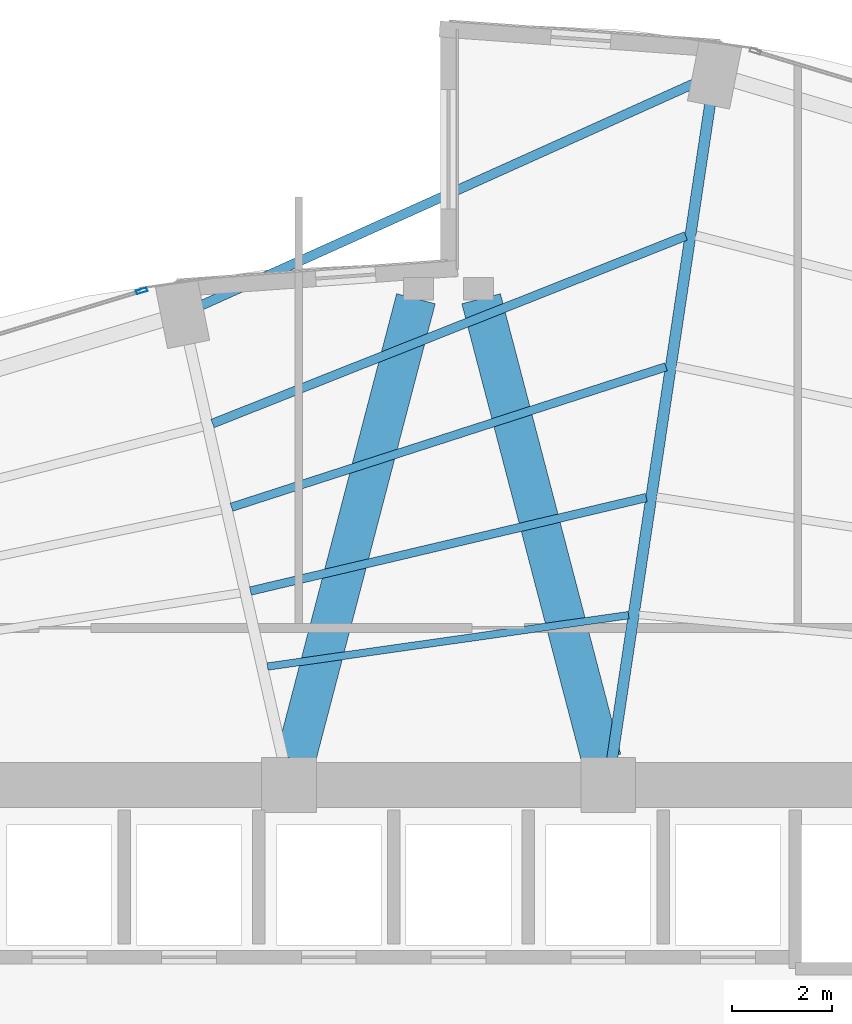
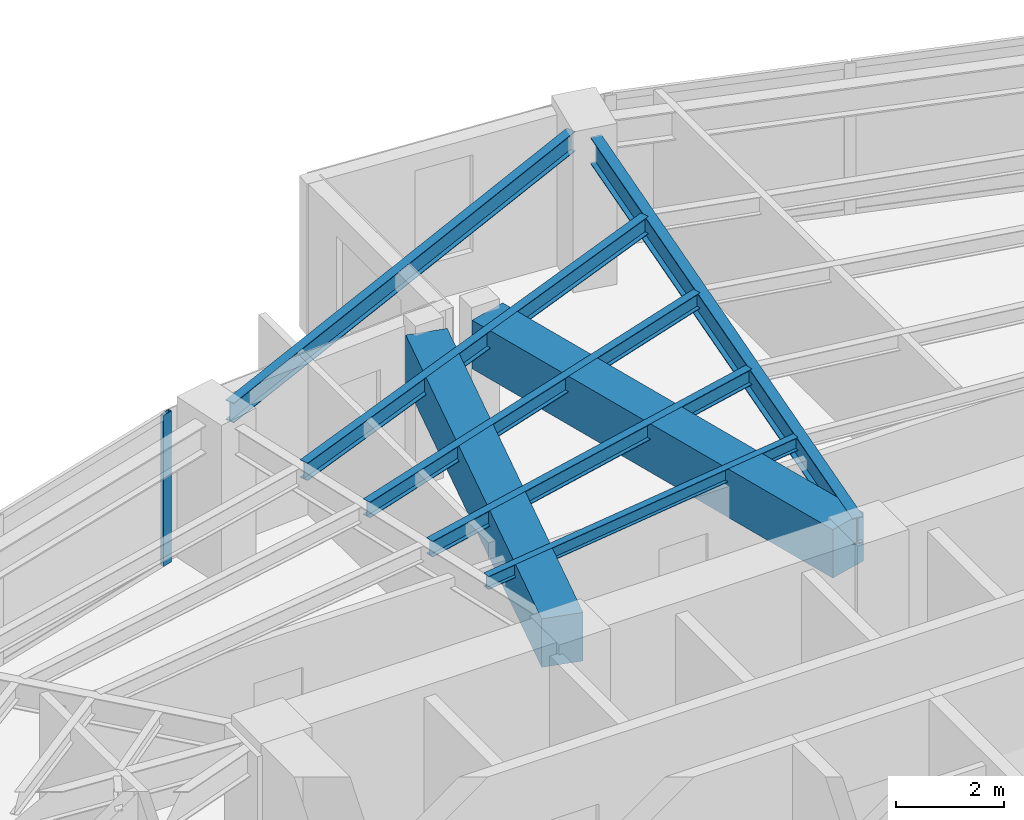
# One storey, part 15 of 24: 8 beams, 1 member, 1 element without a shape of its own.
"""IFC4 building model written with IfcOpenShell, lengths in metres."""

import ifcopenshell
import ifcopenshell.guid

model = None  # the IFC model being written
_history = None  # IfcOwnerHistory: only IFC2X3 demands one
_inside = {}  # id of a spatial element -> (the spatial element, [elements in it])
_under = {}  # id of a project, library or spatial element -> (it, [spatial elements below it])
_declared = {}  # id of a project -> (the project, [libraries it declares])
_typed = {}  # id of a type object -> (the type object, [elements of that type])
_made_of = {}  # id of a material, layer set ... -> (it, [elements and type objects made of it])


def new_model(schema):
    """Start an empty IFC model of exactly this schema.

    Asked for "IFC4X3", IfcOpenShell would pick the latest addendum, in which some entities
    have other attributes; the version numbers below select the first issue.
    IFC2X3 requires an IfcOwnerHistory on every rooted entity: one is made here for all.
    """
    global model, _history
    if schema == "IFC4X3":
        model = ifcopenshell.file(schema_version=(4, 3, 0, 0))
    else:
        model = ifcopenshell.file(schema=schema)
    _inside.clear()
    _under.clear()
    _declared.clear()
    _typed.clear()
    _made_of.clear()
    _history = None
    if model.schema == "IFC2X3":
        org = make("IfcOrganization", Name="unknown")
        user = make(
            "IfcPersonAndOrganization",
            ThePerson=make("IfcPerson", FamilyName="unknown"),
            TheOrganization=org,
        )
        app = make(
            "IfcApplication",
            ApplicationDeveloper=org,
            Version="unknown",
            ApplicationFullName="unknown",
            ApplicationIdentifier="unknown",
        )
        _history = make(
            "IfcOwnerHistory",
            OwningUser=user,
            OwningApplication=app,
            ChangeAction="ADDED",
            CreationDate=0,
        )
    return model


def make(cls, **values):
    """One entity of the class cls with the attributes given. An attribute that is None is left unset."""
    return model.create_entity(
        cls, **{name: value for name, value in values.items() if value is not None}
    )


def rooted(cls, **values):
    """An entity with a GlobalId (a new one), such as an element, a storey or a relation."""
    return make(cls, GlobalId=ifcopenshell.guid.new(), OwnerHistory=_history, **values)


def si_unit(unit_type, name, prefix=None):
    """IfcSIUnit, for example si_unit("LENGTHUNIT", "METRE", prefix="MILLI")."""
    return make("IfcSIUnit", UnitType=unit_type, Prefix=prefix, Name=name)


def assignment(units):
    """IfcUnitAssignment: the units of a project."""
    return None if units is None else make("IfcUnitAssignment", Units=units)


def point(xyz):
    """IfcCartesianPoint."""
    return None if xyz is None else make("IfcCartesianPoint", Coordinates=xyz)


def direction(xyz):
    """IfcDirection."""
    return None if xyz is None else make("IfcDirection", DirectionRatios=xyz)


def frame(location, z_axis=None, x_axis=None):
    """IfcAxis2Placement3D, a coordinate frame: its origin and axes. An axis left out is left unset."""
    return make(
        "IfcAxis2Placement3D",
        Location=point(location),
        Axis=direction(z_axis),
        RefDirection=direction(x_axis),
    )


def frame_2d(location, x_axis=None):
    """IfcAxis2Placement2D, a coordinate frame in the plane: its origin and x axis."""
    return make(
        "IfcAxis2Placement2D", Location=point(location), RefDirection=direction(x_axis)
    )


def origin():
    """The frame at (0, 0, 0) with its axes left unset."""
    return frame((0.0, 0.0, 0.0))


def origin_2d():
    """The frame at (0, 0) in the plane with its x axis left unset."""
    return frame_2d((0.0, 0.0))


def place(relative_to, where):
    """IfcLocalPlacement: puts the frame where relative to a parent placement (None: the world)."""
    return make(
        "IfcLocalPlacement", PlacementRelTo=relative_to, RelativePlacement=where
    )


def context(
    kind, dimensions, precision=None, world=None, true_north=None, identifier=None
):
    """IfcGeometricRepresentationContext, for example the 3D "Model" context."""
    return make(
        "IfcGeometricRepresentationContext",
        ContextIdentifier=identifier,
        ContextType=kind,
        CoordinateSpaceDimension=dimensions,
        Precision=precision,
        WorldCoordinateSystem=world,
        TrueNorth=true_north,
    )


def subcontext(parent, identifier, kind, view, scale=None):
    """IfcGeometricRepresentationSubContext, for example "Body" below "Model"."""
    return make(
        "IfcGeometricRepresentationSubContext",
        ContextIdentifier=identifier,
        ContextType=kind,
        ParentContext=parent,
        TargetScale=scale,
        TargetView=view,
    )


def project(units=None, contexts=None):
    """IfcProject with its units and contexts."""
    return rooted(
        "IfcProject",
        Name="project",
        RepresentationContexts=contexts,
        UnitsInContext=assignment(units),
    )


def spatial(cls, under=None, at=None, **own):
    """A site, building, storey or space (cls), placed at a placement, below another one or the project."""
    s = rooted(cls, ObjectPlacement=at, **own)
    if under is not None:
        _under.setdefault(under.id(), (under, []))[1].append(s)
    return s


def profile(cls, at=None, kind="AREA", **sizes):
    """A parametric profile (cls). Its sizes go by their IFC names, for example OverallWidth=200.0."""
    return make(cls, ProfileType=kind, Position=at, **sizes)


def rectangle(**sizes):
    """IfcRectangleProfileDef."""
    return profile("IfcRectangleProfileDef", **sizes)


def hollow_rectangle(**sizes):
    """IfcRectangleHollowProfileDef."""
    return profile("IfcRectangleHollowProfileDef", **sizes)


def i_section(**sizes):
    """IfcIShapeProfileDef."""
    return profile("IfcIShapeProfileDef", **sizes)


def extrude(swept, where, along, depth):
    """IfcExtrudedAreaSolid: the profile swept, set in the frame where, extruded along a direction by depth."""
    return make(
        "IfcExtrudedAreaSolid",
        SweptArea=swept,
        Position=where,
        ExtrudedDirection=direction(along),
        Depth=depth,
    )


def shape(context_of_items, identifier, shape_type, items):
    """IfcShapeRepresentation: the items that make up one representation, for example the "Body"."""
    return make(
        "IfcShapeRepresentation",
        ContextOfItems=context_of_items,
        RepresentationIdentifier=identifier,
        RepresentationType=shape_type,
        Items=items,
    )


def material(Name=None, Category=None):
    """IfcMaterial."""
    return make("IfcMaterial", Name=Name, Category=Category)


def layer(
    of_material, thickness, ventilated=None, Name=None, Category=None, Priority=None
):
    """IfcMaterialLayer: one layer of a wall or slab, of a material (None: an air gap)."""
    return make(
        "IfcMaterialLayer",
        Material=of_material,
        LayerThickness=thickness,
        IsVentilated=ventilated,
        Name=Name,
        Category=Category,
        Priority=Priority,
    )


def layer_set(layers, Name=None):
    """IfcMaterialLayerSet."""
    return make("IfcMaterialLayerSet", MaterialLayers=layers, LayerSetName=Name)


def material_profile(
    of_material, cross_section, Name=None, Category=None, Priority=None
):
    """IfcMaterialProfile: a cross section and its material."""
    return make(
        "IfcMaterialProfile",
        Name=Name,
        Material=of_material,
        Profile=cross_section,
        Priority=Priority,
        Category=Category,
    )


def profile_set(profiles, Name=None, composite=None):
    """IfcMaterialProfileSet."""
    return make(
        "IfcMaterialProfileSet",
        Name=Name,
        MaterialProfiles=profiles,
        CompositeProfile=composite,
    )


def made_of(thing, what):
    """Note that an element or type object is made of a material, layer set ...; save() writes the relation."""
    if what is not None:
        _made_of.setdefault(what.id(), (what, []))[1].append(thing)
    return thing


def type_object(cls, material=None, **own):
    """A type object (cls), such as IfcWallType, which elements share."""
    return made_of(rooted(cls, **own), material)


def element(
    cls,
    number,
    at=None,
    inside=None,
    cuts=None,
    type_object=None,
    material=None,
    context=None,
    identifier="Body",
    shape_type=None,
    held_by="IfcProductDefinitionShape",
    body=None,
    shapes=None,
    **own,
):
    """One element of the class cls, such as IfcWall. Its Tag is "e" and its number.

    at: its placement. inside: the storey or other place that contains it. cuts: it is an
    opening in that element (IfcRelVoidsElement). A single representation is given by context,
    identifier, shape_type and body (its items); several are given by shapes. held_by: the class
    of the entity that holds the representations. save() writes the other relations.
    """
    e = rooted(cls, Tag="e%d" % number, ObjectPlacement=at, **own)
    if body is not None:
        shapes = [shape(context, identifier, shape_type, body)]
    if shapes is not None:
        e.Representation = make(held_by, Representations=shapes)
    if inside is not None:
        _inside.setdefault(inside.id(), (inside, []))[1].append(e)
    if cuts is not None:
        rooted(
            "IfcRelVoidsElement", RelatingBuildingElement=cuts, RelatedOpeningElement=e
        )
    if type_object is not None:
        _typed.setdefault(type_object.id(), (type_object, []))[1].append(e)
    return made_of(e, material)


def aggregate(whole, parts):
    """IfcRelAggregates: a whole, such as a stair, and the parts it consists of."""
    return rooted("IfcRelAggregates", RelatingObject=whole, RelatedObjects=parts)


def save(model, path):
    """Write the relations noted so far, then the file.

    IfcRelAggregates (storeys below a building ...), IfcRelContainedInSpatialStructure (elements
    in a storey), IfcRelDefinesByType, IfcRelAssociatesMaterial and IfcRelDeclares: one each for
    every whole, place, type object, material and project.
    """
    for whole, parts in _under.values():
        aggregate(whole, parts)
    for where, things in _inside.values():
        rooted(
            "IfcRelContainedInSpatialStructure",
            RelatedElements=things,
            RelatingStructure=where,
        )
    for kind, things in _typed.values():
        rooted("IfcRelDefinesByType", RelatedObjects=things, RelatingType=kind)
    for what, things in _made_of.values():
        rooted("IfcRelAssociatesMaterial", RelatedObjects=things, RelatingMaterial=what)
    for by, libraries in _declared.values():
        rooted("IfcRelDeclares", RelatingContext=by, RelatedDefinitions=libraries)
    model.write(path)


model = new_model("IFC4")

# Units and contexts
model_context = context("Model", 3, precision=1e-05, world=origin(), true_north=direction((0.0, 1.0)))
body_context = subcontext(model_context, "Body", "Model", "MODEL_VIEW")
ifc_project = project(units=[si_unit("LENGTHUNIT", "METRE"), si_unit("AREAUNIT", "SQUARE_METRE"), si_unit("VOLUMEUNIT", "CUBIC_METRE"), si_unit("PLANEANGLEUNIT", "RADIAN"), si_unit("MASSUNIT", "GRAM", prefix="KILO")], contexts=[model_context])

# Site, building, storey
site_placement = place(None, origin())
site = spatial("IfcSite", under=ifc_project, at=site_placement, CompositionType="ELEMENT")
building_placement = place(site_placement, origin())
building = spatial("IfcBuilding", under=site, at=building_placement, Name="Lazwardi Medical Tower", CompositionType="ELEMENT")
storey_placement = place(building_placement, frame((0.0, 0.0, 36.14404296875)))
storey = spatial("IfcBuildingStorey", under=building, at=storey_placement, Name="L08", CompositionType="ELEMENT", Elevation=36.14404296875)

# Beams
ifc_material_1 = material(Name="Concrete C70/85", Category="concrete")
ifc_material_profile_1 = material_profile(ifc_material_1, rectangle(XDim=0.800048828125, YDim=1.10009765625, at=origin_2d()), Name="RC 800x1100")
ifc_profile_set_1 = profile_set([ifc_material_profile_1], Name="Concrete C70/85")
beam_type_1 = type_object("IfcBeamType", Name="BM-CB-RC1", PredefinedType="LINTEL", material=ifc_profile_set_1)
for number, where, z_axis, x_axis, name in (
    (1, (32.935302734375, 36.11767578125, 2.8779296875), (0.252819877511, 0.967513364009, 0.0), (-0.967513364009, 0.252819877511, 0.0), "Core coupling lintel CB-01 PL1 L08"),
    (2, (39.064697265625, 36.11767578125, 2.8779296875), (-0.252819877511, 0.967513364009, 0.0), (-0.967513364009, -0.252819877511, 0.0), "Core coupling lintel CB-01 PL2 L08"),
):
    element("IfcBeam", number, at=place(storey_placement, frame(where, z_axis=z_axis, x_axis=x_axis)), inside=storey, type_object=beam_type_1, Name=name, PredefinedType="LINTEL", context=body_context, shape_type="SweptSolid", body=[
        extrude(rectangle(XDim=0.800048828125, YDim=1.10009765625, at=origin_2d()), origin(), (0.0, 0.0, 1.0), 9.538818359375),
    ])
ifc_material_2 = material(Name="Steel S355", Category="steel")
ifc_material_profile_2 = material_profile(ifc_material_2, i_section(OverallWidth=0.219970703125, OverallDepth=0.60009765625, WebThickness=0.011962890625, FlangeThickness=0.01904296875, at=origin_2d()), Name="IPE 600")
ifc_profile_set_2 = profile_set([ifc_material_profile_2], Name="Steel S355")
beam_type_2 = type_object("IfcBeamType", Name="BM-RG-W1", PredefinedType="BEAM", material=ifc_profile_set_2)
beam_1_placement = place(storey_placement, frame((41.2451171875, 49.2705078125, 3.1279296875), z_axis=(-0.147944218183, -0.98899570692, 0.0), x_axis=(0.98899570692, -0.147944218183, 0.0)))
element("IfcBeam", 3, at=beam_1_placement, inside=storey, type_object=beam_type_2, Name="Radial girder RG-02 R08 L08", PredefinedType="BEAM", context=body_context, shape_type="SweptSolid", body=[
    extrude(i_section(OverallWidth=0.219970703125, OverallDepth=0.60009765625, WebThickness=0.011962890625, FlangeThickness=0.01904296875, at=origin_2d()), origin(), (0.0, 0.0, 1.0), 13.28759765625),
])
ifc_material_profile_3 = material_profile(ifc_material_2, i_section(OverallWidth=0.179931640625, OverallDepth=0.39990234375, WebThickness=0.008544921875, FlangeThickness=0.013427734375, at=origin_2d()), Name="IPE 400")
ifc_profile_set_3 = profile_set([ifc_material_profile_3], Name="Steel S355")
beam_type_3 = type_object("IfcBeamType", Name="BM-SJ-01", PredefinedType="JOIST", material=ifc_profile_set_3)
beam_2_placement = place(storey_placement, frame((40.754150390625, 46.603515625, 3.22802734375), z_axis=(-0.929663713752, -0.368409255222, 0.0), x_axis=(0.368409255222, -0.929663713752, 0.0)))
element("IfcBeam", 4, at=beam_2_placement, inside=storey, type_object=beam_type_3, Name="Secondary joist SJ-01 R1 B08 L08", PredefinedType="JOIST", context=body_context, shape_type="SweptSolid", body=[
    extrude(i_section(OverallWidth=0.179931640625, OverallDepth=0.39990234375, WebThickness=0.008544921875, FlangeThickness=0.013427734375, at=origin_2d()), origin(), (0.0, 0.0, 1.0), 10.2001953125),
])
ifc_material_profile_4 = material_profile(ifc_material_2, i_section(OverallWidth=0.169921875, OverallDepth=0.360107421875, WebThickness=0.008056640625, FlangeThickness=0.0126953125, at=origin_2d()), Name="IPE 360")
ifc_profile_set_4 = profile_set([ifc_material_profile_4], Name="Steel S355")
beam_type_4 = type_object("IfcBeamType", Name="BM-SJ-02", PredefinedType="JOIST", material=ifc_profile_set_4)
beam_3_placement = place(storey_placement, frame((40.35888671875, 43.981689453125, 3.248046875), z_axis=(-0.951558895485, -0.307466532199, 0.0), x_axis=(0.307466532199, -0.951558895485, 0.0)))
element("IfcBeam", 5, at=beam_3_placement, inside=storey, type_object=beam_type_4, Name="Secondary joist SJ-02 R2 B08 L08", PredefinedType="JOIST", context=body_context, shape_type="SweptSolid", body=[
    extrude(i_section(OverallWidth=0.169921875, OverallDepth=0.360107421875, WebThickness=0.008056640625, FlangeThickness=0.0126953125, at=origin_2d()), origin(), (0.0, 0.0, 1.0), 9.1513671875),
])
beam_4_placement = place(storey_placement, frame((39.96337890625, 41.361572265625, 3.248046875), z_axis=(-0.973240904247, -0.229787167397, 0.0), x_axis=(0.229787167397, -0.973240904247, 0.0)))
element("IfcBeam", 6, at=beam_4_placement, inside=storey, type_object=beam_type_4, Name="Secondary joist SJ-02 R3 B08 L08", PredefinedType="JOIST", context=body_context, shape_type="SweptSolid", body=[
    extrude(i_section(OverallWidth=0.169921875, OverallDepth=0.360107421875, WebThickness=0.008056640625, FlangeThickness=0.0126953125, at=origin_2d()), origin(), (0.0, 0.0, 1.0), 8.151123046875),
])
ifc_material_profile_5 = material_profile(ifc_material_2, i_section(OverallWidth=0.14990234375, OverallDepth=0.300048828125, WebThickness=0.007080078125, FlangeThickness=0.0107421875, at=origin_2d()), Name="IPE 300")
ifc_profile_set_5 = profile_set([ifc_material_profile_5], Name="Steel S355")
beam_type_5 = type_object("IfcBeamType", Name="BM-SJ-03", PredefinedType="JOIST", material=ifc_profile_set_5)
beam_5_placement = place(storey_placement, frame((39.607666015625, 39.00537109375, 3.278076171875), z_axis=(-0.99001552228, -0.140958382672, 0.0), x_axis=(0.140958382672, -0.99001552228, 0.0)))
element("IfcBeam", 7, at=beam_5_placement, inside=storey, type_object=beam_type_5, Name="Secondary joist SJ-03 R4 B08 L08", PredefinedType="JOIST", context=body_context, shape_type="SweptSolid", body=[
    extrude(i_section(OverallWidth=0.14990234375, OverallDepth=0.300048828125, WebThickness=0.007080078125, FlangeThickness=0.0107421875, at=origin_2d()), origin(), (0.0, 0.0, 1.0), 7.30908203125),
])
ifc_material_profile_6 = material_profile(ifc_material_2, i_section(OverallWidth=0.18994140625, OverallDepth=0.449951171875, WebThickness=0.009521484375, FlangeThickness=0.0146484375, at=origin_2d()), Name="IPE 450")
ifc_profile_set_6 = profile_set([ifc_material_profile_6], Name="Steel S355")
beam_type_6 = type_object("IfcBeamType", Name="BM-SP-01", PredefinedType="SPANDREL", material=ifc_profile_set_6)
beam_6_placement = place(storey_placement, frame((40.94775390625, 49.671630859375, 3.202880859375), z_axis=(-0.91184908894, -0.410525564368, 0.0), x_axis=(0.410525564368, -0.91184908894, 0.0)))
element("IfcBeam", 8, at=beam_6_placement, inside=storey, type_object=beam_type_6, Name="Spandrel beam SP-01 B08 L08", PredefinedType="SPANDREL", context=body_context, shape_type="SweptSolid", body=[
    extrude(i_section(OverallWidth=0.18994140625, OverallDepth=0.449951171875, WebThickness=0.009521484375, FlangeThickness=0.0146484375, at=origin_2d()), origin(), (0.0, 0.0, 1.0), 10.85205078125),
])

# Curtain wall, member
ifc_material_3 = material(Name="Anodised bronze aluminium and solar control glazing", Category="aluminium")
ifc_layer = layer(ifc_material_3, 0.199951171875)
ifc_layer_set = layer_set([ifc_layer], Name="Anodised bronze aluminium and solar control glazing")
curtain_wall_type = type_object("IfcCurtainWallType", Name="CW-SYS-02", PredefinedType="NOTDEFINED", material=ifc_layer_set)
curtain_wall_placement = place(storey_placement, origin())
curtain_wall = element("IfcCurtainWall", 9, at=curtain_wall_placement, inside=storey, type_object=curtain_wall_type, Name="L08 Unitised bronze curtain wall CW-02", PredefinedType="NOTDEFINED")
ifc_material_4 = material(Name="Anodised bronze aluminium", Category="aluminium")
ifc_material_profile_7 = material_profile(ifc_material_4, hollow_rectangle(XDim=0.074951171875, YDim=0.219970703125, WallThickness=0.00390625, at=origin_2d()), Name="ALU-MULLION 220x75x4")
ifc_profile_set_7 = profile_set([ifc_material_profile_7], Name="Anodised bronze aluminium")
member_type = type_object("IfcMemberType", Name="CW-MUL-01", PredefinedType="MULLION", material=ifc_profile_set_7)
member_placement = place(storey_placement, frame((29.85205078125, 45.503662109375, 0.0), z_axis=(0.0, 0.0, 1.0), x_axis=(0.2898956909, -0.957058247129, 0.0)))
member = element("IfcMember", 10, at=member_placement, type_object=member_type, Name="CW-02 mullion 1", PredefinedType="MULLION", context=body_context, shape_type="SweptSolid", body=[
    extrude(hollow_rectangle(XDim=0.074951171875, YDim=0.219970703125, WallThickness=0.00390625, at=origin_2d()), origin(), (0.0, 0.0, 1.0), 3.427978515625),
])
aggregate(curtain_wall, [member])

save(model, "model.ifc")
